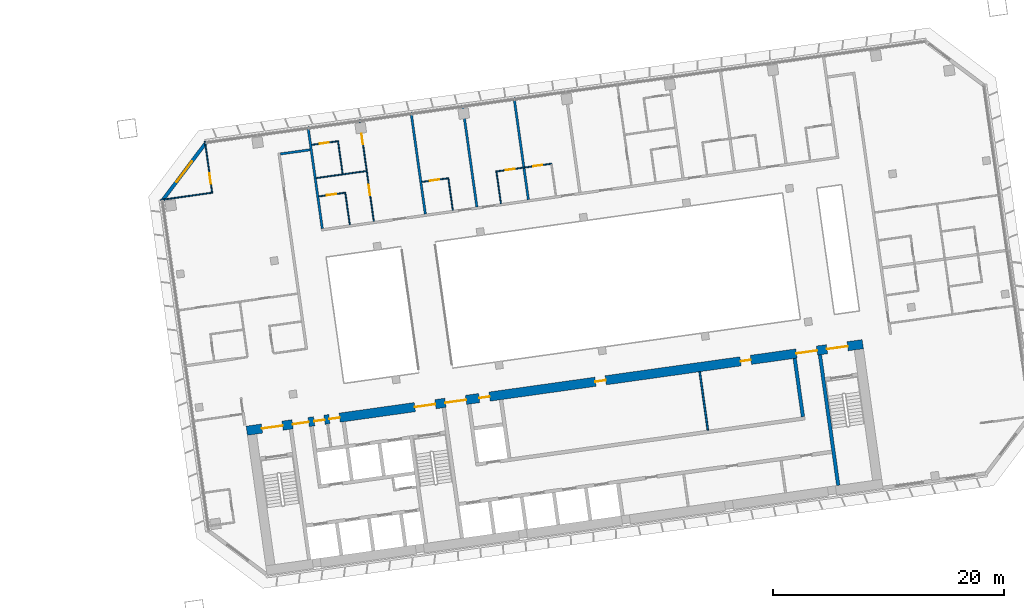
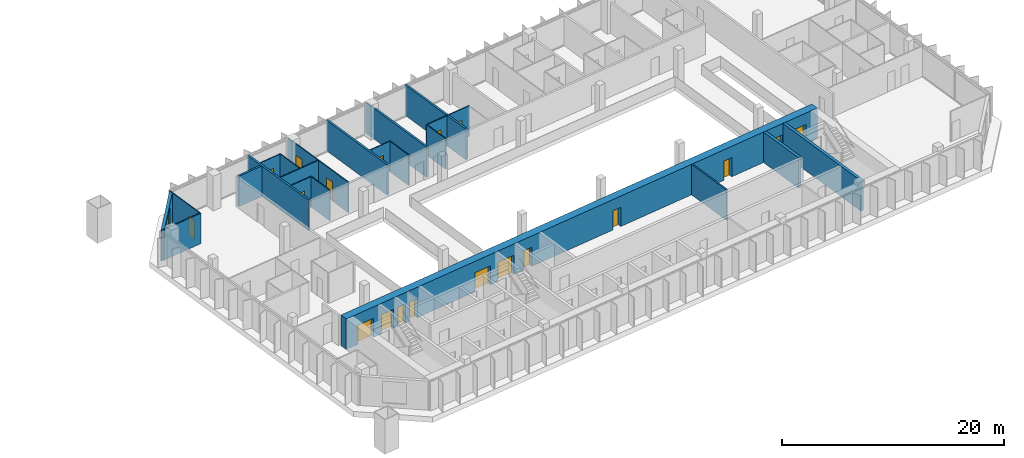
# One storey, part 20 of 26: 22 walls, 19 doors, 1 window, 20 openings.
"""IFC4 building model written with IfcOpenShell, lengths in metres."""

import ifcopenshell
import ifcopenshell.guid

model = None  # the IFC model being written
_history = None  # IfcOwnerHistory: only IFC2X3 demands one
_inside = {}  # id of a spatial element -> (the spatial element, [elements in it])
_under = {}  # id of a project, library or spatial element -> (it, [spatial elements below it])
_declared = {}  # id of a project -> (the project, [libraries it declares])
_typed = {}  # id of a type object -> (the type object, [elements of that type])
_made_of = {}  # id of a material, layer set ... -> (it, [elements and type objects made of it])


def new_model(schema):
    """Start an empty IFC model of exactly this schema.

    Asked for "IFC4X3", IfcOpenShell would pick the latest addendum, in which some entities
    have other attributes; the version numbers below select the first issue.
    IFC2X3 requires an IfcOwnerHistory on every rooted entity: one is made here for all.
    """
    global model, _history
    if schema == "IFC4X3":
        model = ifcopenshell.file(schema_version=(4, 3, 0, 0))
    else:
        model = ifcopenshell.file(schema=schema)
    _inside.clear()
    _under.clear()
    _declared.clear()
    _typed.clear()
    _made_of.clear()
    _history = None
    if model.schema == "IFC2X3":
        org = make("IfcOrganization", Name="unknown")
        user = make(
            "IfcPersonAndOrganization",
            ThePerson=make("IfcPerson", FamilyName="unknown"),
            TheOrganization=org,
        )
        app = make(
            "IfcApplication",
            ApplicationDeveloper=org,
            Version="unknown",
            ApplicationFullName="unknown",
            ApplicationIdentifier="unknown",
        )
        _history = make(
            "IfcOwnerHistory",
            OwningUser=user,
            OwningApplication=app,
            ChangeAction="ADDED",
            CreationDate=0,
        )
    return model


def make(cls, **values):
    """One entity of the class cls with the attributes given. An attribute that is None is left unset."""
    return model.create_entity(
        cls, **{name: value for name, value in values.items() if value is not None}
    )


def rooted(cls, **values):
    """An entity with a GlobalId (a new one), such as an element, a storey or a relation."""
    return make(cls, GlobalId=ifcopenshell.guid.new(), OwnerHistory=_history, **values)


def si_unit(unit_type, name, prefix=None):
    """IfcSIUnit, for example si_unit("LENGTHUNIT", "METRE", prefix="MILLI")."""
    return make("IfcSIUnit", UnitType=unit_type, Prefix=prefix, Name=name)


def assignment(units):
    """IfcUnitAssignment: the units of a project."""
    return None if units is None else make("IfcUnitAssignment", Units=units)


def point(xyz):
    """IfcCartesianPoint."""
    return None if xyz is None else make("IfcCartesianPoint", Coordinates=xyz)


def direction(xyz):
    """IfcDirection."""
    return None if xyz is None else make("IfcDirection", DirectionRatios=xyz)


def frame(location, z_axis=None, x_axis=None):
    """IfcAxis2Placement3D, a coordinate frame: its origin and axes. An axis left out is left unset."""
    return make(
        "IfcAxis2Placement3D",
        Location=point(location),
        Axis=direction(z_axis),
        RefDirection=direction(x_axis),
    )


def frame_2d(location, x_axis=None):
    """IfcAxis2Placement2D, a coordinate frame in the plane: its origin and x axis."""
    return make(
        "IfcAxis2Placement2D", Location=point(location), RefDirection=direction(x_axis)
    )


def origin():
    """The frame at (0, 0, 0) with its axes left unset."""
    return frame((0.0, 0.0, 0.0))


def place(relative_to, where):
    """IfcLocalPlacement: puts the frame where relative to a parent placement (None: the world)."""
    return make(
        "IfcLocalPlacement", PlacementRelTo=relative_to, RelativePlacement=where
    )


def context(
    kind, dimensions, precision=None, world=None, true_north=None, identifier=None
):
    """IfcGeometricRepresentationContext, for example the 3D "Model" context."""
    return make(
        "IfcGeometricRepresentationContext",
        ContextIdentifier=identifier,
        ContextType=kind,
        CoordinateSpaceDimension=dimensions,
        Precision=precision,
        WorldCoordinateSystem=world,
        TrueNorth=true_north,
    )


def subcontext(parent, identifier, kind, view, scale=None):
    """IfcGeometricRepresentationSubContext, for example "Body" below "Model"."""
    return make(
        "IfcGeometricRepresentationSubContext",
        ContextIdentifier=identifier,
        ContextType=kind,
        ParentContext=parent,
        TargetScale=scale,
        TargetView=view,
    )


def project(units=None, contexts=None):
    """IfcProject with its units and contexts."""
    return rooted(
        "IfcProject",
        Name="project",
        RepresentationContexts=contexts,
        UnitsInContext=assignment(units),
    )


def spatial(cls, under=None, at=None, **own):
    """A site, building, storey or space (cls), placed at a placement, below another one or the project."""
    s = rooted(cls, ObjectPlacement=at, **own)
    if under is not None:
        _under.setdefault(under.id(), (under, []))[1].append(s)
    return s


def profile(cls, at=None, kind="AREA", **sizes):
    """A parametric profile (cls). Its sizes go by their IFC names, for example OverallWidth=200.0."""
    return make(cls, ProfileType=kind, Position=at, **sizes)


def rectangle(**sizes):
    """IfcRectangleProfileDef."""
    return profile("IfcRectangleProfileDef", **sizes)


def extrude(swept, where, along, depth):
    """IfcExtrudedAreaSolid: the profile swept, set in the frame where, extruded along a direction by depth."""
    return make(
        "IfcExtrudedAreaSolid",
        SweptArea=swept,
        Position=where,
        ExtrudedDirection=direction(along),
        Depth=depth,
    )


def shape(context_of_items, identifier, shape_type, items):
    """IfcShapeRepresentation: the items that make up one representation, for example the "Body"."""
    return make(
        "IfcShapeRepresentation",
        ContextOfItems=context_of_items,
        RepresentationIdentifier=identifier,
        RepresentationType=shape_type,
        Items=items,
    )


def material(Name=None, Category=None):
    """IfcMaterial."""
    return make("IfcMaterial", Name=Name, Category=Category)


def layer(
    of_material, thickness, ventilated=None, Name=None, Category=None, Priority=None
):
    """IfcMaterialLayer: one layer of a wall or slab, of a material (None: an air gap)."""
    return make(
        "IfcMaterialLayer",
        Material=of_material,
        LayerThickness=thickness,
        IsVentilated=ventilated,
        Name=Name,
        Category=Category,
        Priority=Priority,
    )


def layer_set(layers, Name=None):
    """IfcMaterialLayerSet."""
    return make("IfcMaterialLayerSet", MaterialLayers=layers, LayerSetName=Name)


def made_of(thing, what):
    """Note that an element or type object is made of a material, layer set ...; save() writes the relation."""
    if what is not None:
        _made_of.setdefault(what.id(), (what, []))[1].append(thing)
    return thing


def type_object(cls, material=None, **own):
    """A type object (cls), such as IfcWallType, which elements share."""
    return made_of(rooted(cls, **own), material)


def element(
    cls,
    number,
    at=None,
    inside=None,
    cuts=None,
    type_object=None,
    material=None,
    context=None,
    identifier="Body",
    shape_type=None,
    held_by="IfcProductDefinitionShape",
    body=None,
    shapes=None,
    **own,
):
    """One element of the class cls, such as IfcWall. Its Tag is "e" and its number.

    at: its placement. inside: the storey or other place that contains it. cuts: it is an
    opening in that element (IfcRelVoidsElement). A single representation is given by context,
    identifier, shape_type and body (its items); several are given by shapes. held_by: the class
    of the entity that holds the representations. save() writes the other relations.
    """
    e = rooted(cls, Tag="e%d" % number, ObjectPlacement=at, **own)
    if body is not None:
        shapes = [shape(context, identifier, shape_type, body)]
    if shapes is not None:
        e.Representation = make(held_by, Representations=shapes)
    if inside is not None:
        _inside.setdefault(inside.id(), (inside, []))[1].append(e)
    if cuts is not None:
        rooted(
            "IfcRelVoidsElement", RelatingBuildingElement=cuts, RelatedOpeningElement=e
        )
    if type_object is not None:
        _typed.setdefault(type_object.id(), (type_object, []))[1].append(e)
    return made_of(e, material)


def fill(opening, filler):
    """IfcRelFillsElement: the door or window that sits in an opening."""
    return rooted(
        "IfcRelFillsElement",
        RelatingOpeningElement=opening,
        RelatedBuildingElement=filler,
    )


def aggregate(whole, parts):
    """IfcRelAggregates: a whole, such as a stair, and the parts it consists of."""
    return rooted("IfcRelAggregates", RelatingObject=whole, RelatedObjects=parts)


def save(model, path):
    """Write the relations noted so far, then the file.

    IfcRelAggregates (storeys below a building ...), IfcRelContainedInSpatialStructure (elements
    in a storey), IfcRelDefinesByType, IfcRelAssociatesMaterial and IfcRelDeclares: one each for
    every whole, place, type object, material and project.
    """
    for whole, parts in _under.values():
        aggregate(whole, parts)
    for where, things in _inside.values():
        rooted(
            "IfcRelContainedInSpatialStructure",
            RelatedElements=things,
            RelatingStructure=where,
        )
    for kind, things in _typed.values():
        rooted("IfcRelDefinesByType", RelatedObjects=things, RelatingType=kind)
    for what, things in _made_of.values():
        rooted("IfcRelAssociatesMaterial", RelatedObjects=things, RelatingMaterial=what)
    for by, libraries in _declared.values():
        rooted("IfcRelDeclares", RelatingContext=by, RelatedDefinitions=libraries)
    model.write(path)


model = new_model("IFC4")

# Units and contexts
model_context = context("Model", 3, precision=1e-05, world=origin(), true_north=direction((0.0, 1.0)))
body_context = subcontext(model_context, "Body", "Model", "MODEL_VIEW")
ifc_project = project(units=[si_unit("LENGTHUNIT", "METRE"), si_unit("AREAUNIT", "SQUARE_METRE"), si_unit("VOLUMEUNIT", "CUBIC_METRE"), si_unit("PLANEANGLEUNIT", "RADIAN"), si_unit("MASSUNIT", "GRAM", prefix="KILO")], contexts=[model_context])

# Site, building, storey
site_placement = place(None, origin())
site = spatial("IfcSite", under=ifc_project, at=site_placement, CompositionType="ELEMENT")
building_placement = place(site_placement, origin())
building = spatial("IfcBuilding", under=site, at=building_placement, Name="Mirante Cascada Hotel Towers", CompositionType="ELEMENT")
storey_placement = place(building_placement, frame((0.0, 0.0, 106.3)))
storey = spatial("IfcBuildingStorey", under=building, at=storey_placement, Name="L23", CompositionType="ELEMENT", Elevation=106.3)

# Walls
ifc_material_1 = material(Name="Fire-rated plasterboard on metal studs")
ifc_layer_1 = layer(ifc_material_1, 0.2)
ifc_layer_set_1 = layer_set([ifc_layer_1], Name="Compartment wall 200 EI 120")
wall_type_1 = type_object("IfcWallType", Name="Compartment wall 200 EI 120", PredefinedType="PARTITIONING", material=ifc_layer_set_1)
wall_1_placement = place(storey_placement, frame((38.329, 16.3376, 0.0), z_axis=(0.0, 0.0, 1.0), x_axis=(0.9902647, 0.1391971, 0.0)))
element("IfcWall", 1, at=wall_1_placement, inside=storey, type_object=wall_type_1, Name="Wall 2-L23-28", PredefinedType="PARTITIONING", context=body_context, shape_type="SweptSolid", body=[
    extrude(rectangle(XDim=2.5999, YDim=0.2, at=frame_2d((1.3, 0.0))), origin(), (0.0, 0.0, 1.0), 3.35),
])
for number, where, z_axis, x_axis, name in (
    (2, (40.7243, 18.6939, 0.0), (0.0, 0.0, 1.0), (0.1391794, -0.9902672, 0.0), "Wall 2-L23-39"),
    (3, (49.6367, 19.9465, 0.0), (0.0, 0.0, 1.0), (0.1391794, -0.9902672, 0.0), "Wall 2-L23-43"),
    (4, (54.0929, 20.5728, 0.0), (0.0, 0.0, 1.0), (0.1391794, -0.9902672, 0.0), "Wall 2-L23-45"),
):
    element("IfcWall", number, at=place(storey_placement, frame(where, z_axis=z_axis, x_axis=x_axis)), inside=storey, type_object=wall_type_1, Name=name, PredefinedType="PARTITIONING", context=body_context, shape_type="SweptSolid", body=[
        extrude(rectangle(XDim=8.9, YDim=0.2, at=frame_2d((4.45, 0.0))), origin(), (0.0, 0.0, 1.0), 3.35),
    ])
wall_2_placement = place(storey_placement, frame((58.5492, 21.199, 0.0), z_axis=(0.0, 0.0, 1.0), x_axis=(0.13917, -0.9902685, 0.0)))
element("IfcWall", 5, at=wall_2_placement, inside=storey, type_object=wall_type_1, Name="Wall 2-L23-47", PredefinedType="PARTITIONING", context=body_context, shape_type="SweptSolid", body=[
    extrude(rectangle(XDim=8.8999, YDim=0.2, at=frame_2d((4.45, 0.0))), origin(), (0.0, 0.0, 1.0), 3.35),
])
ifc_material_2 = material(Name="Masonry block", Category="masonry")
ifc_layer_2 = layer(ifc_material_2, 0.15)
ifc_layer_set_2 = layer_set([ifc_layer_2], Name="Core room partition 150 block EI 30")
wall_type_2 = type_object("IfcWallType", Name="Core room partition 150 block EI 30", PredefinedType="PARTITIONING", material=ifc_layer_set_2)
wall_3_placement = place(storey_placement, frame((75.3131, -7.5476, 0.0), z_axis=(0.0, 0.0, 1.0), x_axis=(-0.1391782, 0.9902673, 0.0)))
element("IfcWall", 6, at=wall_3_placement, inside=storey, type_object=wall_type_2, Name="Core wall partition T2 L23 7", PredefinedType="PARTITIONING", context=body_context, shape_type="SweptSolid", body=[
    extrude(rectangle(XDim=5.0999, YDim=0.15, at=frame_2d((2.55, 0.0))), origin(), (0.0, 0.0, 1.0), 3.35),
])

# Wall, opening, door
ifc_material_3 = material(Name="Plasterboard on metal studs")
ifc_layer_3 = layer(ifc_material_3, 0.1)
ifc_layer_set_3 = layer_set([ifc_layer_3], Name="Partition 100")
wall_type_3 = type_object("IfcWallType", Name="Partition 100", PredefinedType="PARTITIONING", material=ifc_layer_set_3)
wall_4_placement = place(storey_placement, frame((43.9004, 12.9804, 0.0), z_axis=(0.0, 0.0, 1.0), x_axis=(-0.9902643, -0.1391997, 0.0)))
wall_4 = element("IfcWall", 7, at=wall_4_placement, inside=storey, type_object=wall_type_3, Name="Wall 2-L23-19", PredefinedType="PARTITIONING", context=body_context, shape_type="SweptSolid", body=[
    extrude(rectangle(XDim=2.25, YDim=0.1, at=frame_2d((1.125, 0.0))), origin(), (0.0, 0.0, 1.0), 3.35),
])
opening_1_placement = place(wall_4_placement, frame((0.75, 0.0, 0.0)))
opening_1 = element("IfcOpeningElement", 8, at=opening_1_placement, cuts=wall_4, Name="Opening D2-L23-16", PredefinedType="OPENING", context=body_context, shape_type="SweptSolid", body=[
    extrude(rectangle(XDim=0.8, YDim=2.1, at=frame_2d((0.4, 1.05))), frame((0.0, 0.05, 0.0), z_axis=(0.0, -1.0, 0.0), x_axis=(1.0, 0.0, 0.0)), (0.0, 0.0, 1.0), 0.1),
])
ifc_material_4 = material(Name="Timber door leaf", Category="wood")
door_type_1 = type_object("IfcDoorType", Name="Bathroom door DG4 800x2100", OperationType="SINGLE_SWING_LEFT", PredefinedType="DOOR", material=ifc_material_4)
door_1_placement = place(opening_1_placement, origin())
door_1 = element("IfcDoor", 9, at=door_1_placement, inside=storey, type_object=door_type_1, Name="Door D2-L23-16", OperationType="SINGLE_SWING_LEFT", OverallHeight=2.1, OverallWidth=0.8, PredefinedType="DOOR", context=body_context, shape_type="SweptSolid", body=[
    extrude(rectangle(XDim=0.8, YDim=2.1, at=frame_2d((0.4, 1.05))), frame((0.0, 0.025, 0.0), z_axis=(0.0, -1.0, 0.0), x_axis=(1.0, 0.0, 0.0)), (0.0, 0.0, 1.0), 0.05),
])
fill(opening_1, door_1)

wall_5_placement = place(storey_placement, frame((50.5847, 13.9198, 0.0), z_axis=(0.0, 0.0, 1.0), x_axis=(0.9902705, 0.1391561, 0.0)))
wall_5 = element("IfcWall", 10, at=wall_5_placement, inside=storey, type_object=wall_type_3, Name="Wall 2-L23-20", PredefinedType="PARTITIONING", context=body_context, shape_type="SweptSolid", body=[
    extrude(rectangle(XDim=2.25, YDim=0.1, at=frame_2d((1.125, 0.0))), origin(), (0.0, 0.0, 1.0), 3.35),
])
opening_2_placement = place(wall_5_placement, frame((0.7, 0.0, 0.0)))
opening_2 = element("IfcOpeningElement", 11, at=opening_2_placement, cuts=wall_5, Name="Opening D2-L23-17", PredefinedType="OPENING", context=body_context, shape_type="SweptSolid", body=[
    extrude(rectangle(XDim=0.8, YDim=2.1, at=frame_2d((0.4, 1.05))), frame((0.0, 0.05, 0.0), z_axis=(0.0, -1.0, 0.0), x_axis=(1.0, 0.0, 0.0)), (0.0, 0.0, 1.0), 0.1),
])
door_2_placement = place(opening_2_placement, origin())
door_2 = element("IfcDoor", 12, at=door_2_placement, inside=storey, type_object=door_type_1, Name="Door D2-L23-17", OperationType="SINGLE_SWING_LEFT", OverallHeight=2.1, OverallWidth=0.8, PredefinedType="DOOR", context=body_context, shape_type="SweptSolid", body=[
    extrude(rectangle(XDim=0.8, YDim=2.1, at=frame_2d((0.4, 1.05))), frame((0.0, 0.025, 0.0), z_axis=(0.0, -1.0, 0.0), x_axis=(1.0, 0.0, 0.0)), (0.0, 0.0, 1.0), 0.05),
])
fill(opening_2, door_2)

# Wall, openings, doors
wall_6_placement = place(storey_placement, frame((61.8243, 15.4994, 0.0), z_axis=(0.0, 0.0, 1.0), x_axis=(-0.9902666, -0.1391838, 0.0)))
wall_6 = element("IfcWall", 13, at=wall_6_placement, inside=storey, type_object=wall_type_3, Name="Wall 2-L23-21", PredefinedType="PARTITIONING", context=body_context, shape_type="SweptSolid", body=[
    extrude(rectangle(XDim=4.9, YDim=0.1, at=frame_2d((2.45, 0.0))), origin(), (0.0, 0.0, 1.0), 3.35),
])
opening_3_placement = place(wall_6_placement, frame((3.25, 0.0, 0.0)))
opening_3 = element("IfcOpeningElement", 14, at=opening_3_placement, cuts=wall_6, Name="Opening D2-L23-18", PredefinedType="OPENING", context=body_context, shape_type="SweptSolid", body=[
    extrude(rectangle(XDim=0.8, YDim=2.1, at=frame_2d((0.4, 1.05))), frame((0.0, 0.05, 0.0), z_axis=(0.0, -1.0, 0.0), x_axis=(1.0, 0.0, 0.0)), (0.0, 0.0, 1.0), 0.1),
])
opening_4_placement = place(wall_6_placement, frame((0.85, 0.0, 0.0)))
opening_4 = element("IfcOpeningElement", 15, at=opening_4_placement, cuts=wall_6, Name="Opening D2-L23-19", PredefinedType="OPENING", context=body_context, shape_type="SweptSolid", body=[
    extrude(rectangle(XDim=0.8, YDim=2.1, at=frame_2d((0.4, 1.05))), frame((0.0, 0.05, 0.0), z_axis=(0.0, -1.0, 0.0), x_axis=(1.0, 0.0, 0.0)), (0.0, 0.0, 1.0), 0.1),
])
door_3_placement = place(opening_3_placement, frame((0.8, 0.0, 0.0), z_axis=(0.0, 0.0, 1.0), x_axis=(-1.0, 0.0, 0.0)))
door_3 = element("IfcDoor", 16, at=door_3_placement, inside=storey, type_object=door_type_1, Name="Door D2-L23-18", OperationType="SINGLE_SWING_RIGHT", OverallHeight=2.1, OverallWidth=0.8, PredefinedType="DOOR", context=body_context, shape_type="SweptSolid", body=[
    extrude(rectangle(XDim=0.8, YDim=2.1, at=frame_2d((0.4, 1.05))), frame((0.0, 0.025, 0.0), z_axis=(0.0, -1.0, 0.0), x_axis=(1.0, 0.0, 0.0)), (0.0, 0.0, 1.0), 0.05),
])
fill(opening_3, door_3)
door_4_placement = place(opening_4_placement, frame((0.8, 0.0, 0.0), z_axis=(0.0, 0.0, 1.0), x_axis=(-1.0, 0.0, 0.0)))
door_4 = element("IfcDoor", 17, at=door_4_placement, inside=storey, type_object=door_type_1, Name="Door D2-L23-19", OperationType="SINGLE_SWING_RIGHT", OverallHeight=2.1, OverallWidth=0.8, PredefinedType="DOOR", context=body_context, shape_type="SweptSolid", body=[
    extrude(rectangle(XDim=0.8, YDim=2.1, at=frame_2d((0.4, 1.05))), frame((0.0, 0.025, 0.0), z_axis=(0.0, -1.0, 0.0), x_axis=(1.0, 0.0, 0.0)), (0.0, 0.0, 1.0), 0.05),
])
fill(opening_4, door_4)

# Walls
wall_7_placement = place(storey_placement, frame((32.4877, 12.9921, 0.0), z_axis=(0.0, 0.0, 1.0), x_axis=(-0.9902691, -0.1391656, 0.0)))
element("IfcWall", 18, at=wall_7_placement, inside=storey, type_object=wall_type_3, Name="Wall 2-L23-25", PredefinedType="PARTITIONING", context=body_context, shape_type="SweptSolid", body=[
    extrude(rectangle(XDim=4.55, YDim=0.1, at=frame_2d((2.275, 0.0))), origin(), (0.0, 0.0, 1.0), 3.35),
])
wall_8_placement = place(storey_placement, frame((41.4496, 14.2516, 0.0), z_axis=(0.0, 0.0, 1.0), x_axis=(0.9902683, 0.1391714, 0.0)))
element("IfcWall", 19, at=wall_8_placement, inside=storey, type_object=wall_type_3, Name="Wall 2-L23-26", PredefinedType="PARTITIONING", context=body_context, shape_type="SweptSolid", body=[
    extrude(rectangle(XDim=4.35, YDim=0.1, at=frame_2d((2.175, 0.0))), origin(), (0.0, 0.0, 1.0), 3.35),
])

# Wall, opening, door
wall_9_placement = place(storey_placement, frame((41.046, 17.1234, 0.0), z_axis=(0.0, 0.0, 1.0), x_axis=(0.9902643, 0.1391997, 0.0)))
wall_9 = element("IfcWall", 20, at=wall_9_placement, inside=storey, type_object=wall_type_3, Name="Wall 2-L23-30", PredefinedType="PARTITIONING", context=body_context, shape_type="SweptSolid", body=[
    extrude(rectangle(XDim=2.25, YDim=0.1, at=frame_2d((1.125, 0.0))), origin(), (0.0, 0.0, 1.0), 3.35),
])
opening_5_placement = place(wall_9_placement, frame((0.7, 0.0, 0.0)))
opening_5 = element("IfcOpeningElement", 21, at=opening_5_placement, cuts=wall_9, Name="Opening D2-L23-24", PredefinedType="OPENING", context=body_context, shape_type="SweptSolid", body=[
    extrude(rectangle(XDim=0.8, YDim=2.1, at=frame_2d((0.4, 1.05))), frame((0.0, 0.05, 0.0), z_axis=(0.0, -1.0, 0.0), x_axis=(1.0, 0.0, 0.0)), (0.0, 0.0, 1.0), 0.1),
])
door_5_placement = place(opening_5_placement, frame((0.8, 0.0, 0.0), z_axis=(0.0, 0.0, 1.0), x_axis=(-1.0, 0.0, 0.0)))
door_5 = element("IfcDoor", 22, at=door_5_placement, inside=storey, type_object=door_type_1, Name="Door D2-L23-24", OperationType="SINGLE_SWING_RIGHT", OverallHeight=2.1, OverallWidth=0.8, PredefinedType="DOOR", context=body_context, shape_type="SweptSolid", body=[
    extrude(rectangle(XDim=0.8, YDim=2.1, at=frame_2d((0.4, 1.05))), frame((0.0, 0.025, 0.0), z_axis=(0.0, -1.0, 0.0), x_axis=(1.0, 0.0, 0.0)), (0.0, 0.0, 1.0), 0.05),
])
fill(opening_5, door_5)

wall_10_placement = place(storey_placement, frame((31.8119, 17.4414, 0.0), z_axis=(0.0, 0.0, 1.0), x_axis=(0.1391684, -0.9902687, 0.0)))
wall_10 = element("IfcWall", 23, at=wall_10_placement, inside=storey, type_object=wall_type_3, Name="Wall 2-L23-35", PredefinedType="PARTITIONING", context=body_context, shape_type="SweptSolid", body=[
    extrude(rectangle(XDim=4.45, YDim=0.1, at=frame_2d((2.225, 0.0))), origin(), (0.0, 0.0, 1.0), 3.35),
])
opening_6_placement = place(wall_10_placement, frame((2.8, 0.0, 0.0)))
opening_6 = element("IfcOpeningElement", 24, at=opening_6_placement, cuts=wall_10, Name="Opening D2-L23-29", PredefinedType="OPENING", context=body_context, shape_type="SweptSolid", body=[
    extrude(rectangle(XDim=0.9, YDim=2.1, at=frame_2d((0.45, 1.05))), frame((0.0, 0.05, 0.0), z_axis=(0.0, -1.0, 0.0), x_axis=(1.0, 0.0, 0.0)), (0.0, 0.0, 1.0), 0.1),
])
ifc_material_5 = material(Name="Timber door leaf", Category="wood")
door_type_2 = type_object("IfcDoorType", Name="Room door DG3 900x2100", OperationType="SINGLE_SWING_LEFT", PredefinedType="DOOR", material=ifc_material_5)
door_6_placement = place(opening_6_placement, origin())
door_6 = element("IfcDoor", 25, at=door_6_placement, inside=storey, type_object=door_type_2, Name="Door D2-L23-29", OperationType="SINGLE_SWING_LEFT", OverallHeight=2.1, OverallWidth=0.9, PredefinedType="DOOR", context=body_context, shape_type="SweptSolid", body=[
    extrude(rectangle(XDim=0.9, YDim=2.1, at=frame_2d((0.45, 1.05))), frame((0.0, 0.025, 0.0), z_axis=(0.0, -1.0, 0.0), x_axis=(1.0, 0.0, 0.0)), (0.0, 0.0, 1.0), 0.05),
])
fill(opening_6, door_6)

# Walls
wall_11_placement = place(storey_placement, frame((44.3396, 10.2146, 0.0), z_axis=(0.0, 0.0, 1.0), x_axis=(-0.1391613, 0.9902697, 0.0)))
element("IfcWall", 26, at=wall_11_placement, inside=storey, type_object=wall_type_3, Name="Wall 2-L23-40", PredefinedType="PARTITIONING", context=body_context, shape_type="SweptSolid", body=[
    extrude(rectangle(XDim=2.8499, YDim=0.1, at=frame_2d((1.425, 0.0))), origin(), (0.0, 0.0, 1.0), 3.35),
])
wall_12_placement = place(storey_placement, frame((43.3167, 17.493, 0.0), z_axis=(0.0, 0.0, 1.0), x_axis=(0.1391761, -0.9902676, 0.0)))
element("IfcWall", 27, at=wall_12_placement, inside=storey, type_object=wall_type_3, Name="Wall 2-L23-41", PredefinedType="PARTITIONING", context=body_context, shape_type="SweptSolid", body=[
    extrude(rectangle(XDim=2.8999, YDim=0.1, at=frame_2d((1.45, 0.0))), origin(), (0.0, 0.0, 1.0), 3.35),
])

# Wall, openings, doors
wall_13_placement = place(storey_placement, frame((46.4192, 10.5068, 0.0), z_axis=(0.0, 0.0, 1.0), x_axis=(-0.1391794, 0.9902672, 0.0)))
wall_13 = element("IfcWall", 28, at=wall_13_placement, inside=storey, type_object=wall_type_3, Name="Wall 2-L23-42", PredefinedType="PARTITIONING", context=body_context, shape_type="SweptSolid", body=[
    extrude(rectangle(XDim=8.9, YDim=0.1, at=frame_2d((4.45, 0.0))), origin(), (0.0, 0.0, 1.0), 3.35),
])
opening_7_placement = place(wall_13_placement, frame((2.3, 0.0, 0.0)))
opening_7 = element("IfcOpeningElement", 29, at=opening_7_placement, cuts=wall_13, Name="Opening D2-L23-32", PredefinedType="OPENING", context=body_context, shape_type="SweptSolid", body=[
    extrude(rectangle(XDim=0.9, YDim=2.1, at=frame_2d((0.45, 1.05))), frame((0.0, 0.05, 0.0), z_axis=(0.0, -1.0, 0.0), x_axis=(1.0, 0.0, 0.0)), (0.0, 0.0, 1.0), 0.1),
])
opening_8_placement = place(wall_13_placement, frame((6.75, 0.0, 0.0)))
opening_8 = element("IfcOpeningElement", 30, at=opening_8_placement, cuts=wall_13, Name="Opening D2-L23-33", PredefinedType="OPENING", context=body_context, shape_type="SweptSolid", body=[
    extrude(rectangle(XDim=0.9, YDim=2.1, at=frame_2d((0.45, 1.05))), frame((0.0, 0.05, 0.0), z_axis=(0.0, -1.0, 0.0), x_axis=(1.0, 0.0, 0.0)), (0.0, 0.0, 1.0), 0.1),
])
door_7_placement = place(opening_7_placement, frame((0.9, 0.0, 0.0), z_axis=(0.0, 0.0, 1.0), x_axis=(-1.0, 0.0, 0.0)))
door_7 = element("IfcDoor", 31, at=door_7_placement, inside=storey, type_object=door_type_2, Name="Door D2-L23-32", OperationType="SINGLE_SWING_RIGHT", OverallHeight=2.1, OverallWidth=0.9, PredefinedType="DOOR", context=body_context, shape_type="SweptSolid", body=[
    extrude(rectangle(XDim=0.9, YDim=2.1, at=frame_2d((0.45, 1.05))), frame((0.0, 0.025, 0.0), z_axis=(0.0, -1.0, 0.0), x_axis=(1.0, 0.0, 0.0)), (0.0, 0.0, 1.0), 0.05),
])
fill(opening_7, door_7)
door_8_placement = place(opening_8_placement, frame((0.9, 0.0, 0.0), z_axis=(0.0, 0.0, 1.0), x_axis=(-1.0, 0.0, 0.0)))
door_8 = element("IfcDoor", 32, at=door_8_placement, inside=storey, type_object=door_type_2, Name="Door D2-L23-33", OperationType="SINGLE_SWING_RIGHT", OverallHeight=2.1, OverallWidth=0.9, PredefinedType="DOOR", context=body_context, shape_type="SweptSolid", body=[
    extrude(rectangle(XDim=0.9, YDim=2.1, at=frame_2d((0.45, 1.05))), frame((0.0, 0.025, 0.0), z_axis=(0.0, -1.0, 0.0), x_axis=(1.0, 0.0, 0.0)), (0.0, 0.0, 1.0), 0.05),
])
fill(opening_8, door_8)

# Walls
wall_14_placement = place(storey_placement, frame((53.252, 11.4671, 0.0), z_axis=(0.0, 0.0, 1.0), x_axis=(-0.1391564, 0.9902704, 0.0)))
element("IfcWall", 33, at=wall_14_placement, inside=storey, type_object=wall_type_3, Name="Wall 2-L23-44", PredefinedType="PARTITIONING", context=body_context, shape_type="SweptSolid", body=[
    extrude(rectangle(XDim=2.85, YDim=0.1, at=frame_2d((1.425, 0.0))), origin(), (0.0, 0.0, 1.0), 3.35),
])
wall_15_placement = place(storey_placement, frame((57.4112, 12.0516, 0.0), z_axis=(0.0, 0.0, 1.0), x_axis=(-0.1391963, 0.9902648, 0.0)))
element("IfcWall", 34, at=wall_15_placement, inside=storey, type_object=wall_type_3, Name="Wall 2-L23-46", PredefinedType="PARTITIONING", context=body_context, shape_type="SweptSolid", body=[
    extrude(rectangle(XDim=2.7501, YDim=0.1, at=frame_2d((1.3751, 0.0))), origin(), (0.0, 0.0, 1.0), 3.35),
])

# Wall, opening, window
ifc_material_6 = material(Name="Precast concrete C40/50", Category="concrete")
ifc_layer_4 = layer(ifc_material_6, 0.3)
ifc_layer_set_4 = layer_set([ifc_layer_4], Name="Precast concrete C40/50 cladding wall 300")
wall_type_4 = type_object("IfcWallType", Name="Precast concrete C40/50 cladding wall 300", PredefinedType="STANDARD", material=ifc_layer_set_4)
wall_16_placement = place(storey_placement, frame((31.857, 17.252, 0.0), z_axis=(0.0, 0.0, 1.0), x_axis=(-0.6018141, -0.7986362, 0.0)))
wall_16 = element("IfcWall", 35, at=wall_16_placement, inside=storey, type_object=wall_type_4, Name="Corner cladding wall T2 L23 front inner", PredefinedType="STANDARD", context=body_context, shape_type="SweptSolid", body=[
    extrude(rectangle(XDim=6.1157, YDim=0.3, at=frame_2d((3.0578, 0.0))), origin(), (0.0, 0.0, 1.0), 3.35),
])
opening_9_placement = place(wall_16_placement, frame((1.9578, 0.0, 0.6)))
opening_9 = element("IfcOpeningElement", 36, at=opening_9_placement, cuts=wall_16, Name="Opening W2-23-05", PredefinedType="OPENING", context=body_context, shape_type="SweptSolid", body=[
    extrude(rectangle(XDim=2.2, YDim=2.4, at=frame_2d((1.1, 1.2))), frame((0.0, 0.15, 0.0), z_axis=(0.0, -1.0, 0.0), x_axis=(1.0, 0.0, 0.0)), (0.0, 0.0, 1.0), 0.3),
])
ifc_material_7 = material(Name="Aluminium frame with clear double glazing", Category="aluminium")
window_type = type_object("IfcWindowType", Name="Corner suite window 2200x2400", PartitioningType="DOUBLE_PANEL_VERTICAL", PredefinedType="WINDOW", material=ifc_material_7)
window_placement = place(opening_9_placement, origin())
window = element("IfcWindow", 37, at=window_placement, inside=storey, type_object=window_type, Name="Window W2-23-05", OverallHeight=2.4, OverallWidth=2.2, PartitioningType="SINGLE_PANEL", PredefinedType="WINDOW", context=body_context, shape_type="SweptSolid", body=[
    extrude(rectangle(XDim=2.2, YDim=2.4, at=frame_2d((1.1, 1.2))), frame((0.0, 0.03, 0.0), z_axis=(0.0, -1.0, 0.0), x_axis=(1.0, 0.0, 0.0)), (0.0, 0.0, 1.0), 0.06),
])
fill(opening_9, window)

# Walls
ifc_material_8 = material(Name="Concrete C50/60", Category="concrete")
ifc_layer_5 = layer(ifc_material_8, 0.3)
ifc_layer_set_5 = layer_set([ifc_layer_5], Name="RC core wall 300 C50/60")
wall_type_5 = type_object("IfcWallType", Name="RC core wall 300 C50/60", PredefinedType="SHEAR", material=ifc_layer_set_5)
wall_17_placement = place(storey_placement, frame((86.5877, -12.325, 0.0), z_axis=(0.0, 0.0, 1.0), x_axis=(-0.1391749, 0.9902678, 0.0)))
element("IfcWall", 38, at=wall_17_placement, inside=storey, type_object=wall_type_5, Name="Core wall T2:L23:8", PredefinedType="SHEAR", context=body_context, shape_type="SweptSolid", body=[
    extrude(rectangle(XDim=11.4, YDim=0.3, at=frame_2d((5.7, 0.0))), origin(), (0.0, 0.0, 1.0), 3.35),
])
wall_18_placement = place(storey_placement, frame((83.5323, -6.3925, 0.0), z_axis=(0.0, 0.0, 1.0), x_axis=(-0.1391755, 0.9902677, 0.0)))
element("IfcWall", 39, at=wall_18_placement, inside=storey, type_object=wall_type_5, Name="Core wall T2:L23:35", PredefinedType="SHEAR", context=body_context, shape_type="SweptSolid", body=[
    extrude(rectangle(XDim=5.1, YDim=0.3, at=frame_2d((2.55, 0.0))), origin(), (0.0, 0.0, 1.0), 3.35),
])

# Wall, openings, doors
ifc_material_9 = material(Name="Concrete C50/60", Category="concrete")
ifc_layer_6 = layer(ifc_material_9, 0.8)
ifc_layer_set_6 = layer_set([ifc_layer_6], Name="RC core wall 800 C50/60")
wall_type_6 = type_object("IfcWallType", Name="RC core wall 800 C50/60", PredefinedType="SHEAR", material=ifc_layer_set_6)
wall_19_placement = place(storey_placement, frame((35.432, -7.5985, 0.0), z_axis=(0.0, 0.0, 1.0), x_axis=(0.9902681, 0.1391729, 0.0)))
wall_19 = element("IfcWall", 40, at=wall_19_placement, inside=storey, type_object=wall_type_6, Name="Core wall T2:L23:2", PredefinedType="SHEAR", context=body_context, shape_type="SweptSolid", body=[
    extrude(rectangle(XDim=53.8, YDim=0.8, at=frame_2d((26.9, 0.0))), origin(), (0.0, 0.0, 1.0), 3.35),
])
opening_10_placement = place(wall_19_placement, frame((1.325, 0.0, 0.0)))
opening_10 = element("IfcOpeningElement", 41, at=opening_10_placement, cuts=wall_19, Name="Opening D2-23-C14", PredefinedType="OPENING", context=body_context, shape_type="SweptSolid", body=[
    extrude(rectangle(XDim=1.8, YDim=2.1, at=frame_2d((0.9, 1.05))), frame((0.0, 0.4, 0.0), z_axis=(0.0, -1.0, 0.0), x_axis=(1.0, 0.0, 0.0)), (0.0, 0.0, 1.0), 0.8),
])
opening_11_placement = place(wall_19_placement, frame((14.675, 0.0, 0.0)))
opening_11 = element("IfcOpeningElement", 42, at=opening_11_placement, cuts=wall_19, Name="Opening D2-23-C16", PredefinedType="OPENING", context=body_context, shape_type="SweptSolid", body=[
    extrude(rectangle(XDim=1.8, YDim=2.1, at=frame_2d((0.9, 1.05))), frame((0.0, 0.4, 0.0), z_axis=(0.0, -1.0, 0.0), x_axis=(1.0, 0.0, 0.0)), (0.0, 0.0, 1.0), 0.8),
])
opening_12_placement = place(wall_19_placement, frame((50.675, 0.0, 0.0)))
opening_12 = element("IfcOpeningElement", 43, at=opening_12_placement, cuts=wall_19, Name="Opening D2-23-C18", PredefinedType="OPENING", context=body_context, shape_type="SweptSolid", body=[
    extrude(rectangle(XDim=1.8, YDim=2.1, at=frame_2d((0.9, 1.05))), frame((0.0, 0.4, 0.0), z_axis=(0.0, -1.0, 0.0), x_axis=(1.0, 0.0, 0.0)), (0.0, 0.0, 1.0), 0.8),
])
opening_13_placement = place(wall_19_placement, frame((4.0, 0.0, 0.0)))
opening_13 = element("IfcOpeningElement", 44, at=opening_13_placement, cuts=wall_19, Name="Opening D2-23-C19", PredefinedType="OPENING", context=body_context, shape_type="SweptSolid", body=[
    extrude(rectangle(XDim=1.4, YDim=2.1, at=frame_2d((0.7, 1.05))), frame((0.0, 0.4, 0.0), z_axis=(0.0, -1.0, 0.0), x_axis=(1.0, 0.0, 0.0)), (0.0, 0.0, 1.0), 0.8),
])
opening_14_placement = place(wall_19_placement, frame((17.35, 0.0, 0.0)))
opening_14 = element("IfcOpeningElement", 45, at=opening_14_placement, cuts=wall_19, Name="Opening D2-23-C20", PredefinedType="OPENING", context=body_context, shape_type="SweptSolid", body=[
    extrude(rectangle(XDim=1.8, YDim=2.1, at=frame_2d((0.9, 1.05))), frame((0.0, 0.4, 0.0), z_axis=(0.0, -1.0, 0.0), x_axis=(1.0, 0.0, 0.0)), (0.0, 0.0, 1.0), 0.8),
])
opening_15_placement = place(wall_19_placement, frame((48.0, 0.0, 0.0)))
opening_15 = element("IfcOpeningElement", 46, at=opening_15_placement, cuts=wall_19, Name="Opening D2-23-C21", PredefinedType="OPENING", context=body_context, shape_type="SweptSolid", body=[
    extrude(rectangle(XDim=1.8, YDim=2.1, at=frame_2d((0.9, 1.05))), frame((0.0, 0.4, 0.0), z_axis=(0.0, -1.0, 0.0), x_axis=(1.0, 0.0, 0.0)), (0.0, 0.0, 1.0), 0.8),
])
opening_16_placement = place(wall_19_placement, frame((5.8875, 0.0, 0.0)))
opening_16 = element("IfcOpeningElement", 47, at=opening_16_placement, cuts=wall_19, Name="Opening D2-23-C24", PredefinedType="OPENING", context=body_context, shape_type="SweptSolid", body=[
    extrude(rectangle(XDim=0.9, YDim=2.1, at=frame_2d((0.45, 1.05))), frame((0.0, 0.4, 0.0), z_axis=(0.0, -1.0, 0.0), x_axis=(1.0, 0.0, 0.0)), (0.0, 0.0, 1.0), 0.8),
])
opening_17_placement = place(wall_19_placement, frame((7.2125, 0.0, 0.0)))
opening_17 = element("IfcOpeningElement", 48, at=opening_17_placement, cuts=wall_19, Name="Opening D2-23-C25", PredefinedType="OPENING", context=body_context, shape_type="SweptSolid", body=[
    extrude(rectangle(XDim=0.9, YDim=2.1, at=frame_2d((0.45, 1.05))), frame((0.0, 0.4, 0.0), z_axis=(0.0, -1.0, 0.0), x_axis=(1.0, 0.0, 0.0)), (0.0, 0.0, 1.0), 0.8),
])
opening_18_placement = place(wall_19_placement, frame((20.3, 0.0, 0.0)))
opening_18 = element("IfcOpeningElement", 49, at=opening_18_placement, cuts=wall_19, Name="Opening D2-23-C29", PredefinedType="OPENING", context=body_context, shape_type="SweptSolid", body=[
    extrude(rectangle(XDim=0.9, YDim=2.1, at=frame_2d((0.45, 1.05))), frame((0.0, 0.4, 0.0), z_axis=(0.0, -1.0, 0.0), x_axis=(1.0, 0.0, 0.0)), (0.0, 0.0, 1.0), 0.8),
])
opening_19_placement = place(wall_19_placement, frame((30.45, 0.0, 0.0)))
opening_19 = element("IfcOpeningElement", 50, at=opening_19_placement, cuts=wall_19, Name="Opening D2-23-C30", PredefinedType="OPENING", context=body_context, shape_type="SweptSolid", body=[
    extrude(rectangle(XDim=0.9, YDim=2.1, at=frame_2d((0.45, 1.05))), frame((0.0, 0.4, 0.0), z_axis=(0.0, -1.0, 0.0), x_axis=(1.0, 0.0, 0.0)), (0.0, 0.0, 1.0), 0.8),
])
opening_20_placement = place(wall_19_placement, frame((43.125, 0.0, 0.0)))
opening_20 = element("IfcOpeningElement", 51, at=opening_20_placement, cuts=wall_19, Name="Opening D2-23-C31", PredefinedType="OPENING", context=body_context, shape_type="SweptSolid", body=[
    extrude(rectangle(XDim=0.9, YDim=2.1, at=frame_2d((0.45, 1.05))), frame((0.0, 0.4, 0.0), z_axis=(0.0, -1.0, 0.0), x_axis=(1.0, 0.0, 0.0)), (0.0, 0.0, 1.0), 0.8),
])
ifc_material_10 = material(Name="Hollow metal fire door leaf")
door_type_3 = type_object("IfcDoorType", Name="Double fire door 1400x2100 FD60", OperationType="DOUBLE_DOOR_SINGLE_SWING", PredefinedType="DOOR", material=ifc_material_10)
door_9_placement = place(opening_13_placement, origin())
door_9 = element("IfcDoor", 52, at=door_9_placement, inside=storey, type_object=door_type_3, Name="Exit door to gallery T2 L23 19", OperationType="DOUBLE_DOOR_SINGLE_SWING", OverallHeight=2.1, OverallWidth=1.4, PredefinedType="DOOR", context=body_context, shape_type="SweptSolid", body=[
    extrude(rectangle(XDim=0.695, YDim=2.1, at=frame_2d((0.3475, 1.05))), frame((0.0, 0.025, 0.0), z_axis=(0.0, -1.0, 0.0), x_axis=(1.0, 0.0, 0.0)), (0.0, 0.0, 1.0), 0.05),
    extrude(rectangle(XDim=0.695, YDim=2.1, at=frame_2d((1.0525, 1.05))), frame((0.0, 0.025, 0.0), z_axis=(0.0, -1.0, 0.0), x_axis=(1.0, 0.0, 0.0)), (0.0, 0.0, 1.0), 0.05),
])
fill(opening_13, door_9)
ifc_material_11 = material(Name="Hollow metal fire door leaf")
door_type_4 = type_object("IfcDoorType", Name="Double fire door 1800x2100 FD60", OperationType="DOUBLE_DOOR_SINGLE_SWING", PredefinedType="DOOR", material=ifc_material_11)
door_10_placement = place(opening_10_placement, frame((1.8, 0.0, 0.0), z_axis=(0.0, 0.0, 1.0), x_axis=(-1.0, 0.0, 0.0)))
door_10 = element("IfcDoor", 53, at=door_10_placement, inside=storey, type_object=door_type_4, Name="Exit door to gallery T2 L23 14", OperationType="DOUBLE_DOOR_SINGLE_SWING", OverallHeight=2.1, OverallWidth=1.8, PredefinedType="DOOR", context=body_context, shape_type="SweptSolid", body=[
    extrude(rectangle(XDim=0.895, YDim=2.1, at=frame_2d((0.4475, 1.05))), frame((0.0, 0.025, 0.0), z_axis=(0.0, -1.0, 0.0), x_axis=(1.0, 0.0, 0.0)), (0.0, 0.0, 1.0), 0.05),
    extrude(rectangle(XDim=0.895, YDim=2.1, at=frame_2d((1.3525, 1.05))), frame((0.0, 0.025, 0.0), z_axis=(0.0, -1.0, 0.0), x_axis=(1.0, 0.0, 0.0)), (0.0, 0.0, 1.0), 0.05),
])
fill(opening_10, door_10)
door_11_placement = place(opening_11_placement, frame((1.8, 0.0, 0.0), z_axis=(0.0, 0.0, 1.0), x_axis=(-1.0, 0.0, 0.0)))
door_11 = element("IfcDoor", 54, at=door_11_placement, inside=storey, type_object=door_type_4, Name="Exit door to gallery T2 L23 16", OperationType="DOUBLE_DOOR_SINGLE_SWING", OverallHeight=2.1, OverallWidth=1.8, PredefinedType="DOOR", context=body_context, shape_type="SweptSolid", body=[
    extrude(rectangle(XDim=0.895, YDim=2.1, at=frame_2d((0.4475, 1.05))), frame((0.0, 0.025, 0.0), z_axis=(0.0, -1.0, 0.0), x_axis=(1.0, 0.0, 0.0)), (0.0, 0.0, 1.0), 0.05),
    extrude(rectangle(XDim=0.895, YDim=2.1, at=frame_2d((1.3525, 1.05))), frame((0.0, 0.025, 0.0), z_axis=(0.0, -1.0, 0.0), x_axis=(1.0, 0.0, 0.0)), (0.0, 0.0, 1.0), 0.05),
])
fill(opening_11, door_11)
door_12_placement = place(opening_12_placement, frame((1.8, 0.0, 0.0), z_axis=(0.0, 0.0, 1.0), x_axis=(-1.0, 0.0, 0.0)))
door_12 = element("IfcDoor", 55, at=door_12_placement, inside=storey, type_object=door_type_4, Name="Exit door to gallery T2 L23 18", OperationType="DOUBLE_DOOR_SINGLE_SWING", OverallHeight=2.1, OverallWidth=1.8, PredefinedType="DOOR", context=body_context, shape_type="SweptSolid", body=[
    extrude(rectangle(XDim=0.895, YDim=2.1, at=frame_2d((0.4475, 1.05))), frame((0.0, 0.025, 0.0), z_axis=(0.0, -1.0, 0.0), x_axis=(1.0, 0.0, 0.0)), (0.0, 0.0, 1.0), 0.05),
    extrude(rectangle(XDim=0.895, YDim=2.1, at=frame_2d((1.3525, 1.05))), frame((0.0, 0.025, 0.0), z_axis=(0.0, -1.0, 0.0), x_axis=(1.0, 0.0, 0.0)), (0.0, 0.0, 1.0), 0.05),
])
fill(opening_12, door_12)
door_13_placement = place(opening_14_placement, origin())
door_13 = element("IfcDoor", 56, at=door_13_placement, inside=storey, type_object=door_type_4, Name="Exit door to gallery T2 L23 20", OperationType="DOUBLE_DOOR_SINGLE_SWING", OverallHeight=2.1, OverallWidth=1.8, PredefinedType="DOOR", context=body_context, shape_type="SweptSolid", body=[
    extrude(rectangle(XDim=0.895, YDim=2.1, at=frame_2d((0.4475, 1.05))), frame((0.0, 0.025, 0.0), z_axis=(0.0, -1.0, 0.0), x_axis=(1.0, 0.0, 0.0)), (0.0, 0.0, 1.0), 0.05),
    extrude(rectangle(XDim=0.895, YDim=2.1, at=frame_2d((1.3525, 1.05))), frame((0.0, 0.025, 0.0), z_axis=(0.0, -1.0, 0.0), x_axis=(1.0, 0.0, 0.0)), (0.0, 0.0, 1.0), 0.05),
])
fill(opening_14, door_13)
door_14_placement = place(opening_15_placement, origin())
door_14 = element("IfcDoor", 57, at=door_14_placement, inside=storey, type_object=door_type_4, Name="Exit door to gallery T2 L23 21", OperationType="DOUBLE_DOOR_SINGLE_SWING", OverallHeight=2.1, OverallWidth=1.8, PredefinedType="DOOR", context=body_context, shape_type="SweptSolid", body=[
    extrude(rectangle(XDim=0.895, YDim=2.1, at=frame_2d((0.4475, 1.05))), frame((0.0, 0.025, 0.0), z_axis=(0.0, -1.0, 0.0), x_axis=(1.0, 0.0, 0.0)), (0.0, 0.0, 1.0), 0.05),
    extrude(rectangle(XDim=0.895, YDim=2.1, at=frame_2d((1.3525, 1.05))), frame((0.0, 0.025, 0.0), z_axis=(0.0, -1.0, 0.0), x_axis=(1.0, 0.0, 0.0)), (0.0, 0.0, 1.0), 0.05),
])
fill(opening_15, door_14)
ifc_material_12 = material(Name="Hollow metal fire door leaf")
door_type_5 = type_object("IfcDoorType", Name="Fire door 900x2100 FD60", OperationType="NOTDEFINED", PredefinedType="DOOR", material=ifc_material_12)
door_15_placement = place(opening_16_placement, frame((0.9, 0.0, 0.0), z_axis=(0.0, 0.0, 1.0), x_axis=(-1.0, 0.0, 0.0)))
door_15 = element("IfcDoor", 58, at=door_15_placement, inside=storey, type_object=door_type_5, Name="Room door T2 L23 24", OperationType="SINGLE_SWING_LEFT", OverallHeight=2.1, OverallWidth=0.9, PredefinedType="DOOR", context=body_context, shape_type="SweptSolid", body=[
    extrude(rectangle(XDim=0.9, YDim=2.1, at=frame_2d((0.45, 1.05))), frame((0.0, 0.025, 0.0), z_axis=(0.0, -1.0, 0.0), x_axis=(1.0, 0.0, 0.0)), (0.0, 0.0, 1.0), 0.05),
])
fill(opening_16, door_15)
door_16_placement = place(opening_17_placement, frame((0.9, 0.0, 0.0), z_axis=(0.0, 0.0, 1.0), x_axis=(-1.0, 0.0, 0.0)))
door_16 = element("IfcDoor", 59, at=door_16_placement, inside=storey, type_object=door_type_5, Name="Room door T2 L23 25", OperationType="SINGLE_SWING_LEFT", OverallHeight=2.1, OverallWidth=0.9, PredefinedType="DOOR", context=body_context, shape_type="SweptSolid", body=[
    extrude(rectangle(XDim=0.9, YDim=2.1, at=frame_2d((0.45, 1.05))), frame((0.0, 0.025, 0.0), z_axis=(0.0, -1.0, 0.0), x_axis=(1.0, 0.0, 0.0)), (0.0, 0.0, 1.0), 0.05),
])
fill(opening_17, door_16)
door_17_placement = place(opening_18_placement, frame((0.9, 0.0, 0.0), z_axis=(0.0, 0.0, 1.0), x_axis=(-1.0, 0.0, 0.0)))
door_17 = element("IfcDoor", 60, at=door_17_placement, inside=storey, type_object=door_type_5, Name="Room door T2 L23 29", OperationType="SINGLE_SWING_LEFT", OverallHeight=2.1, OverallWidth=0.9, PredefinedType="DOOR", context=body_context, shape_type="SweptSolid", body=[
    extrude(rectangle(XDim=0.9, YDim=2.1, at=frame_2d((0.45, 1.05))), frame((0.0, 0.025, 0.0), z_axis=(0.0, -1.0, 0.0), x_axis=(1.0, 0.0, 0.0)), (0.0, 0.0, 1.0), 0.05),
])
fill(opening_18, door_17)
door_18_placement = place(opening_19_placement, frame((0.9, 0.0, 0.0), z_axis=(0.0, 0.0, 1.0), x_axis=(-1.0, 0.0, 0.0)))
door_18 = element("IfcDoor", 61, at=door_18_placement, inside=storey, type_object=door_type_5, Name="Room door T2 L23 30", OperationType="SINGLE_SWING_RIGHT", OverallHeight=2.1, OverallWidth=0.9, PredefinedType="DOOR", context=body_context, shape_type="SweptSolid", body=[
    extrude(rectangle(XDim=0.9, YDim=2.1, at=frame_2d((0.45, 1.05))), frame((0.0, 0.025, 0.0), z_axis=(0.0, -1.0, 0.0), x_axis=(1.0, 0.0, 0.0)), (0.0, 0.0, 1.0), 0.05),
])
fill(opening_19, door_18)
door_19_placement = place(opening_20_placement, frame((0.9, 0.0, 0.0), z_axis=(0.0, 0.0, 1.0), x_axis=(-1.0, 0.0, 0.0)))
door_19 = element("IfcDoor", 62, at=door_19_placement, inside=storey, type_object=door_type_5, Name="Room door T2 L23 31", OperationType="SINGLE_SWING_RIGHT", OverallHeight=2.1, OverallWidth=0.9, PredefinedType="DOOR", context=body_context, shape_type="SweptSolid", body=[
    extrude(rectangle(XDim=0.9, YDim=2.1, at=frame_2d((0.45, 1.05))), frame((0.0, 0.025, 0.0), z_axis=(0.0, -1.0, 0.0), x_axis=(1.0, 0.0, 0.0)), (0.0, 0.0, 1.0), 0.05),
])
fill(opening_20, door_19)

save(model, "model.ifc")
